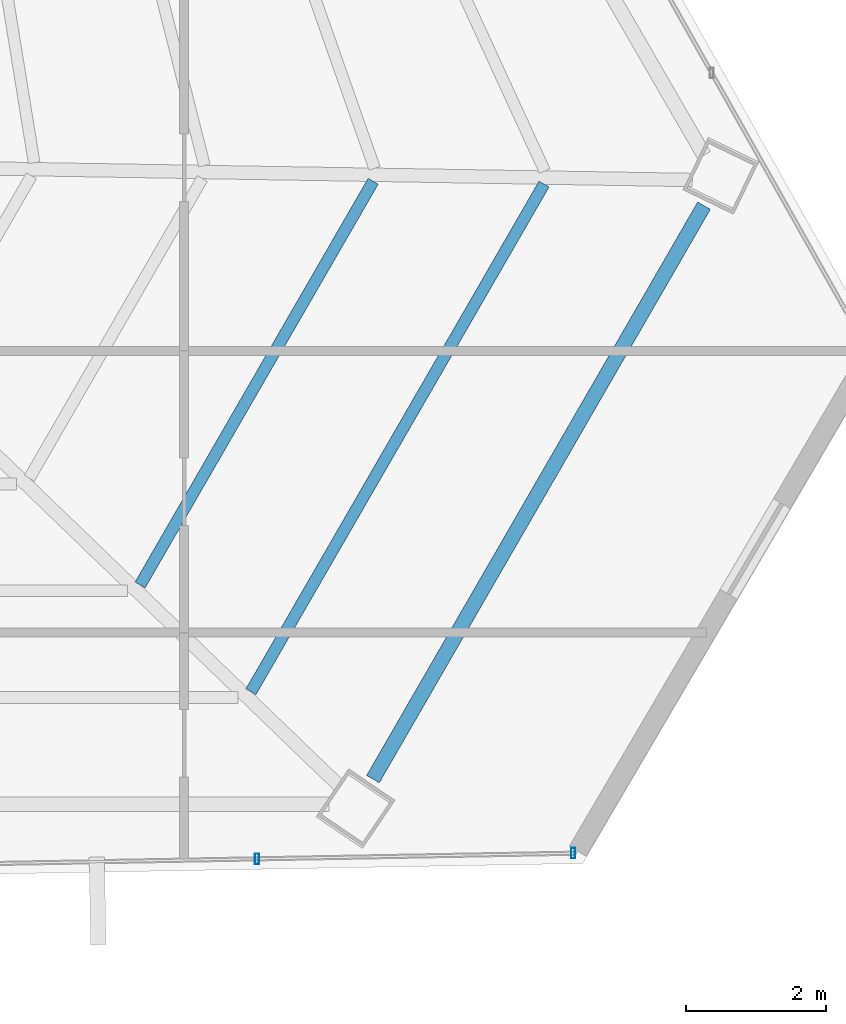
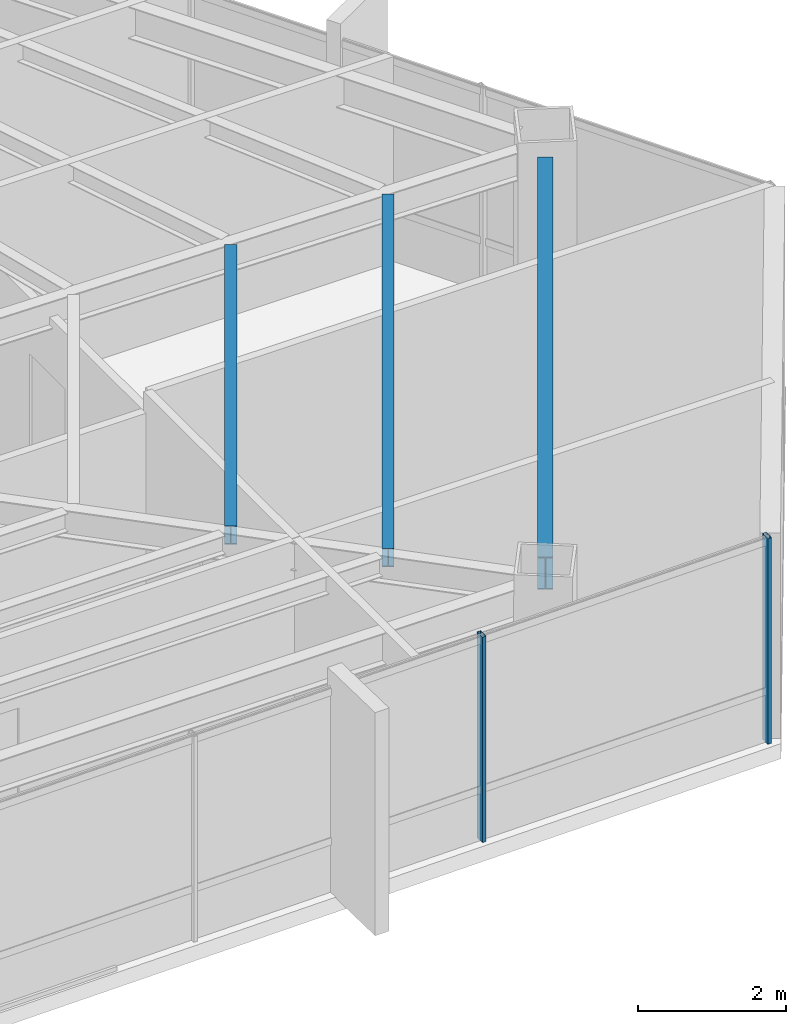
# One storey, part 20 of 44: 3 beams, 2 members, 1 element without a shape of its own.
"""IFC4 building model written with IfcOpenShell, lengths in metres."""

from ifc_helpers import new_model, si_unit, direction, frame, origin, origin_2d, place, context, subcontext, project, spatial, hollow_rectangle, i_section, extrude, source, transform, mapped, material, material_profile, profile_set, type_object, type_shapes, element, aggregate, save


model = new_model("IFC4")

# Units and contexts
model_context = context("Model", 3, precision=1e-05, world=origin(), true_north=direction((0.0, 1.0)))
body_context = subcontext(model_context, "Body", "Model", "MODEL_VIEW")
ifc_project = project(units=[si_unit("LENGTHUNIT", "METRE"), si_unit("AREAUNIT", "SQUARE_METRE"), si_unit("VOLUMEUNIT", "CUBIC_METRE"), si_unit("PLANEANGLEUNIT", "RADIAN"), si_unit("MASSUNIT", "GRAM", prefix="KILO")], contexts=[model_context])

# Site, building, storey
site_placement = place(None, origin())
site = spatial("IfcSite", under=ifc_project, at=site_placement, CompositionType="ELEMENT")
building_placement = place(site_placement, origin())
building = spatial("IfcBuilding", under=site, at=building_placement, Name="Caelisora Broadcast Tower", CompositionType="ELEMENT")
storey_placement = place(building_placement, frame((0.0, 0.0, 198.64990234375)))
storey = spatial("IfcBuildingStorey", under=building, at=storey_placement, Name="L52", CompositionType="ELEMENT", Elevation=198.64990234375)

# Beams
ifc_material_1 = material(Name="Steel Grade 350 (AS/NZS 3679.1)", Category="steel")
ifc_material_profile_1 = material_profile(ifc_material_1, i_section(OverallWidth=0.208984375, OverallDepth=0.532958984375, WebThickness=0.01025390625, FlangeThickness=0.015625, at=origin_2d()), Name="Steel Grade 350 (AS/NZS 3679.1)")
ifc_profile_set_1 = profile_set([ifc_material_profile_1], Name="Steel Grade 350 (AS/NZS 3679.1)")
beam_type_1 = type_object("IfcBeamType", Name="PG05", PredefinedType="BEAM", material=ifc_profile_set_1)
shared_shape_1 = source(origin(), body_context, "Body", "SweptSolid", [
    extrude(i_section(OverallWidth=0.208984375, OverallDepth=0.532958984375, WebThickness=0.01025390625, FlangeThickness=0.015625, at=origin_2d()), origin(), (0.0, 0.0, 1.0), 9.444580078125),
])
type_shapes(beam_type_1, [shared_shape_1])
beam_1_placement = place(storey_placement, frame((55.193115234375, 8.62060546875, 3.133544921875), z_axis=(0.500011851064, 0.866018561461, 0.0), x_axis=(-0.866018561461, 0.500011851064, 0.0)))
element("IfcBeam", 1, at=beam_1_placement, inside=storey, type_object=beam_type_1, Name="L52 beam PG05", PredefinedType="BEAM", context=body_context, shape_type="MappedRepresentation", body=[
    mapped(shared_shape_1, transform((0.0, 0.0, 0.0), scale=1.0)),
])
ifc_material_profile_2 = material_profile(ifc_material_1, i_section(OverallWidth=0.166015625, OverallDepth=0.30712890625, WebThickness=0.006591796875, FlangeThickness=0.01171875, at=origin_2d()), Name="Steel Grade 350 (AS/NZS 3679.1)")
ifc_profile_set_2 = profile_set([ifc_material_profile_2], Name="Steel Grade 350 (AS/NZS 3679.1)")
beam_type_2 = type_object("IfcBeamType", Name="SB03", PredefinedType="JOIST", material=ifc_profile_set_2)
shared_shape_2 = source(origin(), body_context, "Body", "SweptSolid", [
    extrude(i_section(OverallWidth=0.166015625, OverallDepth=0.30712890625, WebThickness=0.006591796875, FlangeThickness=0.01171875, at=origin_2d()), origin(), (0.0, 0.0, 1.0), 6.649658203125),
])
beam_2_placement = place(storey_placement, frame((51.87109375, 11.389404296875, 3.24658203125), z_axis=(0.499985181294, 0.866033959199, 0.0), x_axis=(-0.866033959199, 0.499985181294, 0.0)))
element("IfcBeam", 2, at=beam_2_placement, inside=storey, type_object=beam_type_2, Name="L52 beam SB03", PredefinedType="JOIST", context=body_context, shape_type="MappedRepresentation", body=[
    mapped(shared_shape_2, transform((0.0, 0.0, 0.0), scale=1.0)),
])
shared_shape_3 = source(origin(), body_context, "Body", "SweptSolid", [
    extrude(i_section(OverallWidth=0.166015625, OverallDepth=0.30712890625, WebThickness=0.006591796875, FlangeThickness=0.01171875, at=origin_2d()), origin(), (0.0, 0.0, 1.0), 8.3623046875),
])
type_shapes(beam_type_2, [shared_shape_2, shared_shape_3])
beam_3_placement = place(storey_placement, frame((53.451904296875, 9.8662109375, 3.24658203125), z_axis=(0.500023187203, 0.866012016232, 0.0), x_axis=(-0.866012016232, 0.500023187203, 0.0)))
element("IfcBeam", 3, at=beam_3_placement, inside=storey, type_object=beam_type_2, Name="L52 beam SB03", PredefinedType="JOIST", context=body_context, shape_type="MappedRepresentation", body=[
    mapped(shared_shape_3, transform((0.0, 0.0, 0.0), scale=1.0)),
])

# Curtain wall, members
ifc_material_2 = material(Name="Unitised Aluminium and Low-E Glass Curtain Wall", Category="glass")
curtain_wall_type = type_object("IfcCurtainWallType", Name="CW-Z4", PredefinedType="NOTDEFINED", material=ifc_material_2)
curtain_wall_placement = place(storey_placement, origin())
curtain_wall = element("IfcCurtainWall", 4, at=curtain_wall_placement, inside=storey, type_object=curtain_wall_type, Name="L52 curtain wall CW-Z4", PredefinedType="NOTDEFINED")
ifc_material_3 = material(Name="Aluminium 6063-T6 Anodised Terracotta Bronze", Category="aluminium")
ifc_material_profile_3 = material_profile(ifc_material_3, hollow_rectangle(XDim=0.06005859375, YDim=0.14990234375, WallThickness=0.00341796875, at=origin_2d()), Name="Aluminium 6063-T6 Anodised Terracotta Bronze")
ifc_profile_set_3 = profile_set([ifc_material_profile_3], Name="Aluminium 6063-T6 Anodised Terracotta Bronze")
member_type = type_object("IfcMemberType", Name="CWM-03", PredefinedType="MULLION", material=ifc_profile_set_3)
shared_shape_4 = source(origin(), body_context, "Body", "SweptSolid", [
    extrude(hollow_rectangle(XDim=0.06005859375, YDim=0.14990234375, WallThickness=0.00341796875, at=origin_2d()), origin(), (0.0, 0.0, 1.0), 3.400146484375),
])
type_shapes(member_type, [shared_shape_4])
member_1_placement = place(storey_placement, frame((58.048095703125, 7.56298828125, 0.0), z_axis=(0.0, 0.0, 1.0), x_axis=(1.0, 0.0, 0.0)))
member_1 = element("IfcMember", 5, at=member_1_placement, type_object=member_type, Name="L52-CW-B05 mullion #0", PredefinedType="MULLION", context=body_context, shape_type="MappedRepresentation", body=[
    mapped(shared_shape_4, transform((0.0, 0.0, 0.0), scale=1.0)),
])
member_2_placement = place(storey_placement, frame((53.537353515625, 7.48291015625, 0.0), z_axis=(0.0, 0.0, 1.0), x_axis=(1.0, 0.0, 0.0)))
member_2 = element("IfcMember", 6, at=member_2_placement, type_object=member_type, Name="L52-CW-B05 mullion #1", PredefinedType="MULLION", context=body_context, shape_type="MappedRepresentation", body=[
    mapped(shared_shape_4, transform((0.0, 0.0, 0.0), scale=1.0)),
])
aggregate(curtain_wall, [member_1, member_2])

save(model, "model.ifc")
